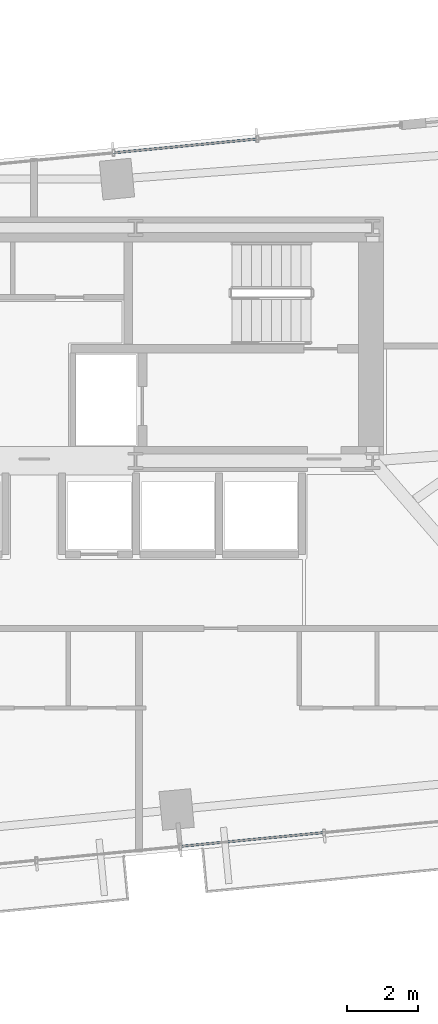
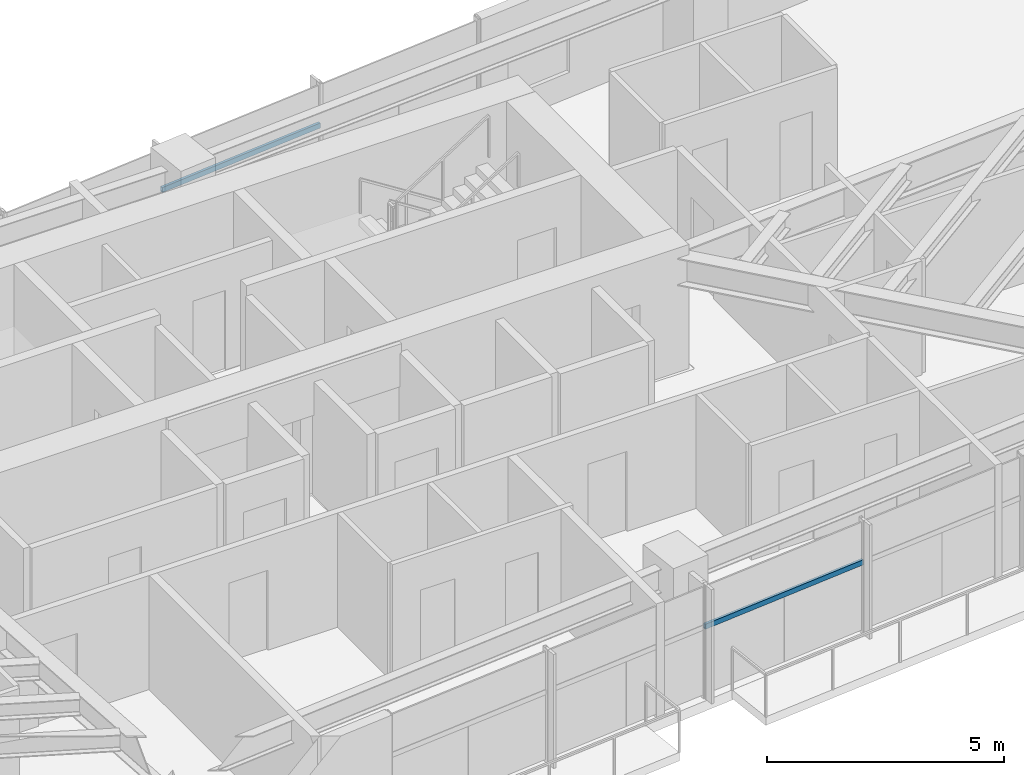
# One storey, part 11 of 27: 2 members, 2 elements without a shape of their own.
"""IFC4 building model written with IfcOpenShell, lengths in metres."""

from ifc_helpers import new_model, si_unit, direction, frame, origin, origin_2d, place, context, subcontext, project, spatial, hollow_rectangle, extrude, source, transform, mapped, material, material_profile, profile_set, type_object, type_shapes, element, aggregate, save


model = new_model("IFC4")

# Units and contexts
model_context = context("Model", 3, precision=1e-05, world=origin(), true_north=direction((0.0, 1.0)))
body_context = subcontext(model_context, "Body", "Model", "MODEL_VIEW")
ifc_project = project(units=[si_unit("LENGTHUNIT", "METRE"), si_unit("AREAUNIT", "SQUARE_METRE"), si_unit("VOLUMEUNIT", "CUBIC_METRE"), si_unit("PLANEANGLEUNIT", "RADIAN"), si_unit("MASSUNIT", "GRAM", prefix="KILO")], contexts=[model_context])

# Site, building, storey
site_placement = place(None, origin())
site = spatial("IfcSite", under=ifc_project, at=site_placement, CompositionType="ELEMENT")
building_placement = place(site_placement, origin())
building = spatial("IfcBuilding", under=site, at=building_placement, Name="Astriad Promenade Condominiums", CompositionType="ELEMENT")
storey_placement = place(building_placement, frame((0.0, 0.0, 113.0)))
storey = spatial("IfcBuildingStorey", under=building, at=storey_placement, Name="L32", CompositionType="ELEMENT", Elevation=113.0)

# Curtain wall, member
ifc_material_1 = material(Name="Anodised aluminium Black Dark Glass Unitised", Category="aluminium")
curtain_wall_type = type_object("IfcCurtainWallType", Name="CW-B2-DARK", PredefinedType="USERDEFINED", material=ifc_material_1)
curtain_wall_1_placement = place(storey_placement, origin())
curtain_wall_1 = element("IfcCurtainWall", 1, at=curtain_wall_1_placement, inside=storey, type_object=curtain_wall_type, Name="CW-L32-N", ObjectType="UNITISED_CURTAIN_WALL", PredefinedType="USERDEFINED")
ifc_material_2 = material(Name="Anodised aluminium 6063-T6 Black", Category="aluminium")
ifc_material_profile = material_profile(ifc_material_2, hollow_rectangle(XDim=0.06494140625, YDim=0.1298828125, WallThickness=0.00390625, at=origin_2d()), Name="ALU-TRN-65X130")
ifc_profile_set = profile_set([ifc_material_profile], Name="Anodised aluminium 6063-T6 Black")
member_type = type_object("IfcMemberType", Name="TRN-ALU-TRN-65X130", PredefinedType="USERDEFINED", material=ifc_profile_set)
shared_shape = source(origin(), body_context, "Body", "SweptSolid", [
    extrude(hollow_rectangle(XDim=0.06494140625, YDim=0.1298828125, WallThickness=0.00390625, at=origin_2d()), origin(), (0.0, 0.0, 1.0), 4.094970703125),
])
type_shapes(member_type, [shared_shape])
member_1_placement = place(storey_placement, frame((38.25390625, 26.12451171875, 1.82275390625), z_axis=(0.995394161585, 0.09586690296, 0.0), x_axis=(-0.09586690296, 0.995394161585, 0.0)))
member_1 = element("IfcMember", 2, at=member_1_placement, type_object=member_type, Name="CW-L32-N-TRN-02-0", ObjectType="TRANSOM", PredefinedType="USERDEFINED", context=body_context, shape_type="MappedRepresentation", body=[
    mapped(shared_shape, transform((0.0, 0.0, 0.0), scale=1.0)),
])
aggregate(curtain_wall_1, [member_1])

curtain_wall_2_placement = place(storey_placement, origin())
curtain_wall_2 = element("IfcCurtainWall", 3, at=curtain_wall_2_placement, inside=storey, type_object=curtain_wall_type, Name="CW-L32-S", ObjectType="UNITISED_CURTAIN_WALL", PredefinedType="USERDEFINED")
member_2_placement = place(storey_placement, frame((44.22216796875, 6.867919921875, 1.82275390625), z_axis=(-0.995394161585, -0.09586690296, 0.0), x_axis=(0.09586690296, -0.995394161585, 0.0)))
member_2 = element("IfcMember", 4, at=member_2_placement, type_object=member_type, Name="CW-L32-S-TRN-01-0", ObjectType="TRANSOM", PredefinedType="USERDEFINED", context=body_context, shape_type="MappedRepresentation", body=[
    mapped(shared_shape, transform((0.0, 0.0, 0.0), scale=1.0)),
])
aggregate(curtain_wall_2, [member_2])

save(model, "model.ifc")
